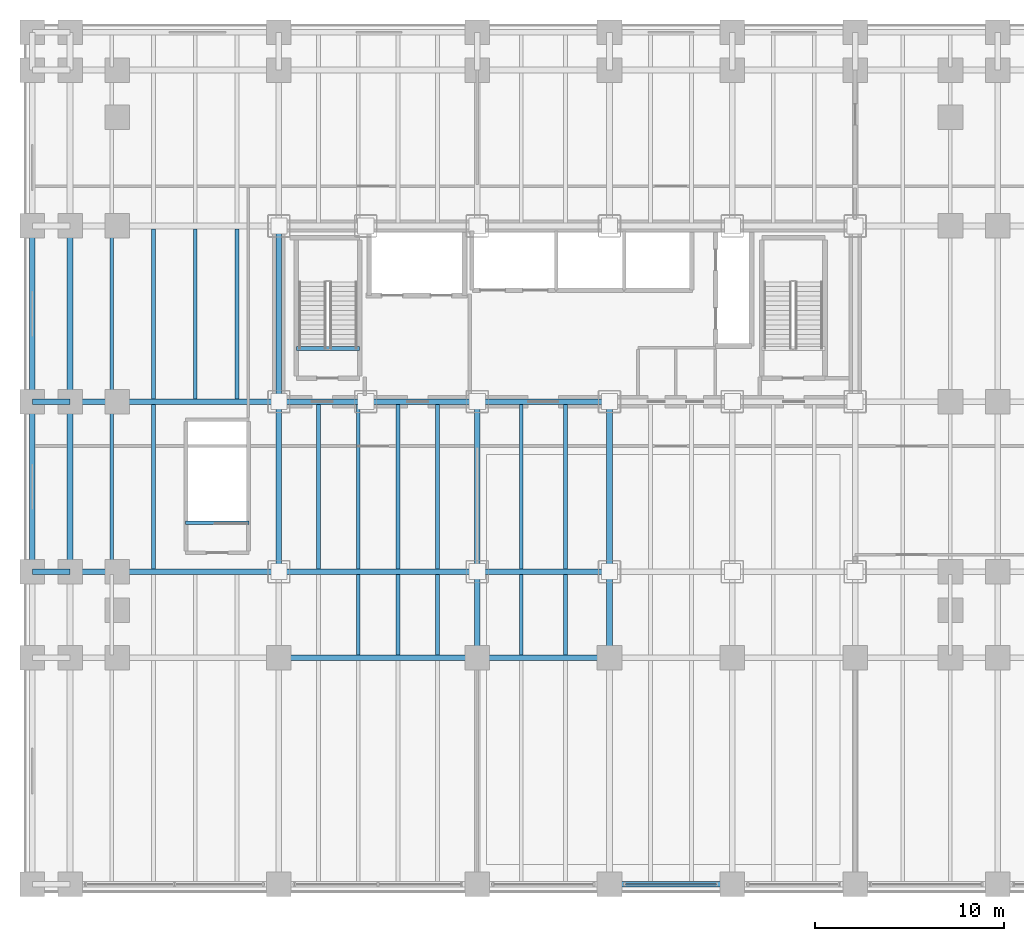
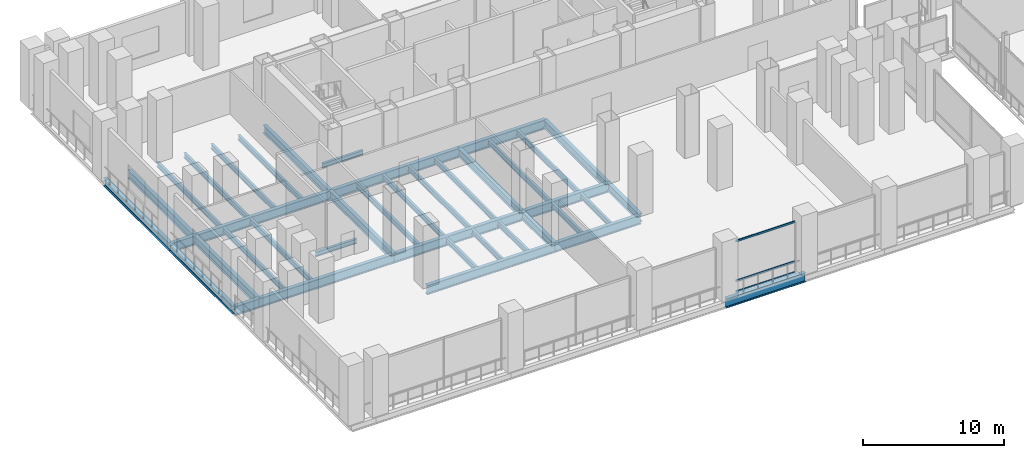
# One storey, part 8 of 30: 40 beams, 3 members, 1 element without a shape of its own.
"""IFC4 building model written with IfcOpenShell, lengths in metres."""

from ifc_helpers import new_model, si_unit, direction, frame, origin, origin_2d, place, context, subcontext, project, spatial, hollow_rectangle, i_section, extrude, material, material_profile, profile_set, type_object, element, aggregate, save


model = new_model("IFC4")

# Units and contexts
model_context = context("Model", 3, precision=1e-05, world=origin(), true_north=direction((0.0, 1.0)))
body_context = subcontext(model_context, "Body", "Model", "MODEL_VIEW")
ifc_project = project(units=[si_unit("LENGTHUNIT", "METRE"), si_unit("AREAUNIT", "SQUARE_METRE"), si_unit("VOLUMEUNIT", "CUBIC_METRE"), si_unit("PLANEANGLEUNIT", "RADIAN"), si_unit("MASSUNIT", "GRAM", prefix="KILO")], contexts=[model_context])

# Site, building, storey
site_placement = place(None, origin())
site = spatial("IfcSite", under=ifc_project, at=site_placement, CompositionType="ELEMENT")
building_placement = place(site_placement, origin())
building = spatial("IfcBuilding", under=site, at=building_placement, Name="Noeulbin Bourse Tower", CompositionType="ELEMENT")
storey_placement = place(building_placement, frame((0.0, 0.0, 16.60009765625)))
storey = spatial("IfcBuildingStorey", under=building, at=storey_placement, Name="L04", CompositionType="ELEMENT", Elevation=16.60009765625)

# Beams
ifc_material_1 = material(Name="Steel S355", Category="steel")
ifc_material_profile_1 = material_profile(ifc_material_1, i_section(OverallWidth=0.300048828125, OverallDepth=0.699951171875, WebThickness=0.012939453125, FlangeThickness=0.02392578125, FilletRadius=0.02392578125, at=origin_2d()), Name="H-700x300x13x24", Category="LoadBearing")
ifc_profile_set_1 = profile_set([ifc_material_profile_1], Name="Steel S355")
beam_type_1 = type_object("IfcBeamType", Name="BM-GRD-700", PredefinedType="USERDEFINED", material=ifc_profile_set_1)
beam_1_placement = place(storey_placement, frame((0.449951171875, 20.0, -0.60009765625), z_axis=(0.0, 1.0, 0.0), x_axis=(-1.0, 0.0, 0.0)))
element("IfcBeam", 1, at=beam_1_placement, inside=storey, type_object=beam_type_1, Name="Podium Primary Girder NS L04-059", ObjectType="GIRDER", PredefinedType="USERDEFINED", context=body_context, shape_type="SweptSolid", body=[
    extrude(i_section(OverallWidth=0.300048828125, OverallDepth=0.699951171875, WebThickness=0.012939453125, FlangeThickness=0.02392578125, FilletRadius=0.02392578125, at=origin_2d()), origin(), (0.0, 0.0, 1.0), 9.0),
])
beam_2_placement = place(storey_placement, frame((0.449951171875, 29.0, -0.60009765625), z_axis=(0.0, 1.0, 0.0), x_axis=(-1.0, 0.0, 0.0)))
element("IfcBeam", 2, at=beam_2_placement, inside=storey, type_object=beam_type_1, Name="Podium Primary Girder NS L04-060", ObjectType="GIRDER", PredefinedType="USERDEFINED", context=body_context, shape_type="SweptSolid", body=[
    extrude(i_section(OverallWidth=0.300048828125, OverallDepth=0.699951171875, WebThickness=0.012939453125, FlangeThickness=0.02392578125, FilletRadius=0.02392578125, at=origin_2d()), origin(), (0.0, 0.0, 1.0), 9.300048828125),
])
beam_3_placement = place(storey_placement, frame((2.449951171875, 20.0, -0.60009765625), z_axis=(0.0, 1.0, 0.0), x_axis=(-1.0, 0.0, 0.0)))
element("IfcBeam", 3, at=beam_3_placement, inside=storey, type_object=beam_type_1, Name="Podium Primary Girder NS L04-065", ObjectType="GIRDER", PredefinedType="USERDEFINED", context=body_context, shape_type="SweptSolid", body=[
    extrude(i_section(OverallWidth=0.300048828125, OverallDepth=0.699951171875, WebThickness=0.012939453125, FlangeThickness=0.02392578125, FilletRadius=0.02392578125, at=origin_2d()), origin(), (0.0, 0.0, 1.0), 9.0),
])
beam_4_placement = place(storey_placement, frame((2.449951171875, 29.0, -0.60009765625), z_axis=(0.0, 1.0, 0.0), x_axis=(-1.0, 0.0, 0.0)))
element("IfcBeam", 4, at=beam_4_placement, inside=storey, type_object=beam_type_1, Name="Podium Primary Girder NS L04-066", ObjectType="GIRDER", PredefinedType="USERDEFINED", context=body_context, shape_type="SweptSolid", body=[
    extrude(i_section(OverallWidth=0.300048828125, OverallDepth=0.699951171875, WebThickness=0.012939453125, FlangeThickness=0.02392578125, FilletRadius=0.02392578125, at=origin_2d()), origin(), (0.0, 0.0, 1.0), 9.300048828125),
])
beam_5_placement = place(storey_placement, frame((13.5, 20.0, -0.60009765625), z_axis=(0.0, 1.0, 0.0), x_axis=(-1.0, 0.0, 0.0)))
element("IfcBeam", 5, at=beam_5_placement, inside=storey, type_object=beam_type_1, Name="Podium Primary Girder NS L04-071", ObjectType="GIRDER", PredefinedType="USERDEFINED", context=body_context, shape_type="SweptSolid", body=[
    extrude(i_section(OverallWidth=0.300048828125, OverallDepth=0.699951171875, WebThickness=0.012939453125, FlangeThickness=0.02392578125, FilletRadius=0.02392578125, at=origin_2d()), origin(), (0.0, 0.0, 1.0), 9.0),
])
beam_6_placement = place(storey_placement, frame((13.5, 29.0, -0.60009765625), z_axis=(0.0, 1.0, 0.0), x_axis=(-1.0, 0.0, 0.0)))
element("IfcBeam", 6, at=beam_6_placement, inside=storey, type_object=beam_type_1, Name="Podium Primary Girder NS L04-072", ObjectType="GIRDER", PredefinedType="USERDEFINED", context=body_context, shape_type="SweptSolid", body=[
    extrude(i_section(OverallWidth=0.300048828125, OverallDepth=0.699951171875, WebThickness=0.012939453125, FlangeThickness=0.02392578125, FilletRadius=0.02392578125, at=origin_2d()), origin(), (0.0, 0.0, 1.0), 9.300048828125),
])
beam_7_placement = place(storey_placement, frame((24.0, 15.449951171875, -0.60009765625), z_axis=(0.0, 1.0, 0.0), x_axis=(-1.0, 0.0, 0.0)))
element("IfcBeam", 7, at=beam_7_placement, inside=storey, type_object=beam_type_1, Name="Podium Primary Girder NS L04-076", ObjectType="GIRDER", PredefinedType="USERDEFINED", context=body_context, shape_type="SweptSolid", body=[
    extrude(i_section(OverallWidth=0.300048828125, OverallDepth=0.699951171875, WebThickness=0.012939453125, FlangeThickness=0.02392578125, FilletRadius=0.02392578125, at=origin_2d()), origin(), (0.0, 0.0, 1.0), 4.550048828125),
])
beam_8_placement = place(storey_placement, frame((24.0, 20.0, -0.60009765625), z_axis=(0.0, 1.0, 0.0), x_axis=(-1.0, 0.0, 0.0)))
element("IfcBeam", 8, at=beam_8_placement, inside=storey, type_object=beam_type_1, Name="Podium Primary Girder NS L04-077", ObjectType="GIRDER", PredefinedType="USERDEFINED", context=body_context, shape_type="SweptSolid", body=[
    extrude(i_section(OverallWidth=0.300048828125, OverallDepth=0.699951171875, WebThickness=0.012939453125, FlangeThickness=0.02392578125, FilletRadius=0.02392578125, at=origin_2d()), origin(), (0.0, 0.0, 1.0), 9.0),
])
beam_9_placement = place(storey_placement, frame((31.0, 15.449951171875, -0.60009765625), z_axis=(0.0, 1.0, 0.0), x_axis=(-1.0, 0.0, 0.0)))
element("IfcBeam", 9, at=beam_9_placement, inside=storey, type_object=beam_type_1, Name="Podium Primary Girder NS L04-081", ObjectType="GIRDER", PredefinedType="USERDEFINED", context=body_context, shape_type="SweptSolid", body=[
    extrude(i_section(OverallWidth=0.300048828125, OverallDepth=0.699951171875, WebThickness=0.012939453125, FlangeThickness=0.02392578125, FilletRadius=0.02392578125, at=origin_2d()), origin(), (0.0, 0.0, 1.0), 4.550048828125),
])
beam_10_placement = place(storey_placement, frame((31.0, 20.0, -0.60009765625), z_axis=(0.0, 1.0, 0.0), x_axis=(-1.0, 0.0, 0.0)))
element("IfcBeam", 10, at=beam_10_placement, inside=storey, type_object=beam_type_1, Name="Podium Primary Girder NS L04-082", ObjectType="GIRDER", PredefinedType="USERDEFINED", context=body_context, shape_type="SweptSolid", body=[
    extrude(i_section(OverallWidth=0.300048828125, OverallDepth=0.699951171875, WebThickness=0.012939453125, FlangeThickness=0.02392578125, FilletRadius=0.02392578125, at=origin_2d()), origin(), (0.0, 0.0, 1.0), 9.0),
])
ifc_material_profile_2 = material_profile(ifc_material_1, i_section(OverallWidth=0.300048828125, OverallDepth=0.800048828125, WebThickness=0.013916015625, FlangeThickness=0.02587890625, FilletRadius=0.02587890625, at=origin_2d()), Name="H-800x300x14x26", Category="LoadBearing")
ifc_profile_set_2 = profile_set([ifc_material_profile_2], Name="Steel S355")
beam_type_2 = type_object("IfcBeamType", Name="BM-GRD-800", PredefinedType="USERDEFINED", material=ifc_profile_set_2)
beam_11_placement = place(storey_placement, frame((31.0, 3.449951171875, -0.650146484375), z_axis=(1.0, 0.0, 0.0), x_axis=(0.0, 1.0, 0.0)))
element("IfcBeam", 11, at=beam_11_placement, inside=storey, type_object=beam_type_2, Name="Podium Primary Girder EW L04-005", ObjectType="GIRDER", PredefinedType="USERDEFINED", context=body_context, shape_type="SweptSolid", body=[
    extrude(i_section(OverallWidth=0.300048828125, OverallDepth=0.800048828125, WebThickness=0.013916015625, FlangeThickness=0.02587890625, FilletRadius=0.02587890625, at=origin_2d()), origin(), (0.0, 0.0, 1.0), 6.5),
])
beam_12_placement = place(storey_placement, frame((13.5, 15.449951171875, -0.650146484375), z_axis=(1.0, 0.0, 0.0), x_axis=(0.0, 1.0, 0.0)))
element("IfcBeam", 12, at=beam_12_placement, inside=storey, type_object=beam_type_2, Name="Podium Primary Girder EW L04-011", ObjectType="GIRDER", PredefinedType="USERDEFINED", context=body_context, shape_type="SweptSolid", body=[
    extrude(i_section(OverallWidth=0.300048828125, OverallDepth=0.800048828125, WebThickness=0.013916015625, FlangeThickness=0.02587890625, FilletRadius=0.02587890625, at=origin_2d()), origin(), (0.0, 0.0, 1.0), 10.5),
])
beam_13_placement = place(storey_placement, frame((24.0, 15.449951171875, -0.650146484375), z_axis=(1.0, 0.0, 0.0), x_axis=(0.0, 1.0, 0.0)))
element("IfcBeam", 13, at=beam_13_placement, inside=storey, type_object=beam_type_2, Name="Podium Primary Girder EW L04-012", ObjectType="GIRDER", PredefinedType="USERDEFINED", context=body_context, shape_type="SweptSolid", body=[
    extrude(i_section(OverallWidth=0.300048828125, OverallDepth=0.800048828125, WebThickness=0.013916015625, FlangeThickness=0.02587890625, FilletRadius=0.02587890625, at=origin_2d()), origin(), (0.0, 0.0, 1.0), 7.0),
])
beam_14_placement = place(storey_placement, frame((0.449951171875, 20.0, -0.650146484375), z_axis=(1.0, 0.0, 0.0), x_axis=(0.0, 1.0, 0.0)))
element("IfcBeam", 14, at=beam_14_placement, inside=storey, type_object=beam_type_2, Name="Podium Primary Girder EW L04-017", ObjectType="GIRDER", PredefinedType="USERDEFINED", context=body_context, shape_type="SweptSolid", body=[
    extrude(i_section(OverallWidth=0.300048828125, OverallDepth=0.800048828125, WebThickness=0.013916015625, FlangeThickness=0.02587890625, FilletRadius=0.02587890625, at=origin_2d()), origin(), (0.0, 0.0, 1.0), 2.0),
])
beam_15_placement = place(storey_placement, frame((2.449951171875, 20.0, -0.650146484375), z_axis=(1.0, 0.0, 0.0), x_axis=(0.0, 1.0, 0.0)))
element("IfcBeam", 15, at=beam_15_placement, inside=storey, type_object=beam_type_2, Name="Podium Primary Girder EW L04-018", ObjectType="GIRDER", PredefinedType="USERDEFINED", context=body_context, shape_type="SweptSolid", body=[
    extrude(i_section(OverallWidth=0.300048828125, OverallDepth=0.800048828125, WebThickness=0.013916015625, FlangeThickness=0.02587890625, FilletRadius=0.02587890625, at=origin_2d()), origin(), (0.0, 0.0, 1.0), 11.050048828125),
])
beam_16_placement = place(storey_placement, frame((13.5, 20.0, -0.650146484375), z_axis=(1.0, 0.0, 0.0), x_axis=(0.0, 1.0, 0.0)))
element("IfcBeam", 16, at=beam_16_placement, inside=storey, type_object=beam_type_2, Name="Podium Primary Girder EW L04-019", ObjectType="GIRDER", PredefinedType="USERDEFINED", context=body_context, shape_type="SweptSolid", body=[
    extrude(i_section(OverallWidth=0.300048828125, OverallDepth=0.800048828125, WebThickness=0.013916015625, FlangeThickness=0.02587890625, FilletRadius=0.02587890625, at=origin_2d()), origin(), (0.0, 0.0, 1.0), 10.5),
])
beam_17_placement = place(storey_placement, frame((24.0, 20.0, -0.650146484375), z_axis=(1.0, 0.0, 0.0), x_axis=(0.0, 1.0, 0.0)))
element("IfcBeam", 17, at=beam_17_placement, inside=storey, type_object=beam_type_2, Name="Podium Primary Girder EW L04-020", ObjectType="GIRDER", PredefinedType="USERDEFINED", context=body_context, shape_type="SweptSolid", body=[
    extrude(i_section(OverallWidth=0.300048828125, OverallDepth=0.800048828125, WebThickness=0.013916015625, FlangeThickness=0.02587890625, FilletRadius=0.02587890625, at=origin_2d()), origin(), (0.0, 0.0, 1.0), 7.0),
])
beam_18_placement = place(storey_placement, frame((0.449951171875, 29.0, -0.650146484375), z_axis=(1.0, 0.0, 0.0), x_axis=(0.0, 1.0, 0.0)))
element("IfcBeam", 18, at=beam_18_placement, inside=storey, type_object=beam_type_2, Name="Podium Primary Girder EW L04-025", ObjectType="GIRDER", PredefinedType="USERDEFINED", context=body_context, shape_type="SweptSolid", body=[
    extrude(i_section(OverallWidth=0.300048828125, OverallDepth=0.800048828125, WebThickness=0.013916015625, FlangeThickness=0.02587890625, FilletRadius=0.02587890625, at=origin_2d()), origin(), (0.0, 0.0, 1.0), 2.0),
])
beam_19_placement = place(storey_placement, frame((2.449951171875, 29.0, -0.650146484375), z_axis=(1.0, 0.0, 0.0), x_axis=(0.0, 1.0, 0.0)))
element("IfcBeam", 19, at=beam_19_placement, inside=storey, type_object=beam_type_2, Name="Podium Primary Girder EW L04-026", ObjectType="GIRDER", PredefinedType="USERDEFINED", context=body_context, shape_type="SweptSolid", body=[
    extrude(i_section(OverallWidth=0.300048828125, OverallDepth=0.800048828125, WebThickness=0.013916015625, FlangeThickness=0.02587890625, FilletRadius=0.02587890625, at=origin_2d()), origin(), (0.0, 0.0, 1.0), 11.050048828125),
])
beam_20_placement = place(storey_placement, frame((13.5, 29.0, -0.650146484375), z_axis=(1.0, 0.0, 0.0), x_axis=(0.0, 1.0, 0.0)))
element("IfcBeam", 20, at=beam_20_placement, inside=storey, type_object=beam_type_2, Name="Podium Primary Girder EW L04-027", ObjectType="GIRDER", PredefinedType="USERDEFINED", context=body_context, shape_type="SweptSolid", body=[
    extrude(i_section(OverallWidth=0.300048828125, OverallDepth=0.800048828125, WebThickness=0.013916015625, FlangeThickness=0.02587890625, FilletRadius=0.02587890625, at=origin_2d()), origin(), (0.0, 0.0, 1.0), 10.5),
])
beam_21_placement = place(storey_placement, frame((24.0, 29.0, -0.650146484375), z_axis=(1.0, 0.0, 0.0), x_axis=(0.0, 1.0, 0.0)))
element("IfcBeam", 21, at=beam_21_placement, inside=storey, type_object=beam_type_2, Name="Podium Primary Girder EW L04-028", ObjectType="GIRDER", PredefinedType="USERDEFINED", context=body_context, shape_type="SweptSolid", body=[
    extrude(i_section(OverallWidth=0.300048828125, OverallDepth=0.800048828125, WebThickness=0.013916015625, FlangeThickness=0.02587890625, FilletRadius=0.02587890625, at=origin_2d()), origin(), (0.0, 0.0, 1.0), 7.0),
])
ifc_material_profile_3 = material_profile(ifc_material_1, i_section(OverallWidth=0.199951171875, OverallDepth=0.39990234375, WebThickness=0.008056640625, FlangeThickness=0.012939453125, FilletRadius=0.01611328125, at=origin_2d()), Name="H-400x200x8x13", Category="LoadBearing")
ifc_profile_set_3 = profile_set([ifc_material_profile_3], Name="Steel S355")
beam_type_3 = type_object("IfcBeamType", Name="BM-SEC-400", PredefinedType="BEAM", material=ifc_profile_set_3)
beam_22_placement = place(storey_placement, frame((14.429931640625, 31.820068359375, -0.2001953125), z_axis=(1.0, 0.0, 0.0), x_axis=(0.0, 1.0, 0.0)))
element("IfcBeam", 22, at=beam_22_placement, inside=storey, type_object=beam_type_3, Name="Stair Threshold Trimmer Beam ST1-L04", PredefinedType="BEAM", context=body_context, shape_type="SweptSolid", body=[
    extrude(i_section(OverallWidth=0.199951171875, OverallDepth=0.39990234375, WebThickness=0.008056640625, FlangeThickness=0.012939453125, FilletRadius=0.01611328125, at=origin_2d()), origin(), (0.0, 0.0, 1.0), 3.340087890625),
])
beam_23_placement = place(storey_placement, frame((8.56005859375, 22.590087890625, -0.2001953125), z_axis=(1.0, 0.0, 0.0), x_axis=(0.0, 1.0, 0.0)))
element("IfcBeam", 23, at=beam_23_placement, inside=storey, type_object=beam_type_3, Name="Stair Threshold Trimmer Beam STP1-L04", PredefinedType="BEAM", context=body_context, shape_type="SweptSolid", body=[
    extrude(i_section(OverallWidth=0.199951171875, OverallDepth=0.39990234375, WebThickness=0.008056640625, FlangeThickness=0.012939453125, FilletRadius=0.01611328125, at=origin_2d()), origin(), (0.0, 0.0, 1.0), 3.35986328125),
])
ifc_material_profile_4 = material_profile(ifc_material_1, i_section(OverallWidth=0.199951171875, OverallDepth=0.449951171875, WebThickness=0.009033203125, FlangeThickness=0.013916015625, FilletRadius=0.01806640625, at=origin_2d()), Name="H-450x200x9x14", Category="LoadBearing")
ifc_profile_set_4 = profile_set([ifc_material_profile_4], Name="Steel S355")
beam_type_4 = type_object("IfcBeamType", Name="BM-SEC-450", PredefinedType="BEAM", material=ifc_profile_set_4)
beam_24_placement = place(storey_placement, frame((4.659912109375, 20.14990234375, -0.47509765625), z_axis=(0.0, 1.0, 0.0), x_axis=(-1.0, 0.0, 0.0)))
element("IfcBeam", 24, at=beam_24_placement, inside=storey, type_object=beam_type_4, Name="Podium Secondary Beam L04-003", PredefinedType="BEAM", context=body_context, shape_type="SweptSolid", body=[
    extrude(i_section(OverallWidth=0.199951171875, OverallDepth=0.449951171875, WebThickness=0.009033203125, FlangeThickness=0.013916015625, FilletRadius=0.01806640625, at=origin_2d()), origin(), (0.0, 0.0, 1.0), 8.7001953125),
])
beam_25_placement = place(storey_placement, frame((4.659912109375, 29.14990234375, -0.47509765625), z_axis=(0.0, 1.0, 0.0), x_axis=(-1.0, 0.0, 0.0)))
element("IfcBeam", 25, at=beam_25_placement, inside=storey, type_object=beam_type_4, Name="Podium Secondary Beam L04-004", PredefinedType="BEAM", context=body_context, shape_type="SweptSolid", body=[
    extrude(i_section(OverallWidth=0.199951171875, OverallDepth=0.449951171875, WebThickness=0.009033203125, FlangeThickness=0.013916015625, FilletRadius=0.01806640625, at=origin_2d()), origin(), (0.0, 0.0, 1.0), 9.0),
])
beam_26_placement = place(storey_placement, frame((6.8701171875, 20.14990234375, -0.47509765625), z_axis=(0.0, 1.0, 0.0), x_axis=(-1.0, 0.0, 0.0)))
element("IfcBeam", 26, at=beam_26_placement, inside=storey, type_object=beam_type_4, Name="Podium Secondary Beam L04-009", PredefinedType="BEAM", context=body_context, shape_type="SweptSolid", body=[
    extrude(i_section(OverallWidth=0.199951171875, OverallDepth=0.449951171875, WebThickness=0.009033203125, FlangeThickness=0.013916015625, FilletRadius=0.01806640625, at=origin_2d()), origin(), (0.0, 0.0, 1.0), 8.7001953125),
])
for number, where, z_axis, x_axis, name in (
    (27, (6.8701171875, 29.14990234375, -0.47509765625), (0.0, 1.0, 0.0), (-1.0, 0.0, 0.0), "Podium Secondary Beam L04-010"),
    (28, (9.080078125, 29.14990234375, -0.47509765625), (0.0, 1.0, 0.0), (-1.0, 0.0, 0.0), "Podium Secondary Beam L04-015"),
    (29, (11.2900390625, 29.14990234375, -0.47509765625), (0.0, 1.0, 0.0), (-1.0, 0.0, 0.0), "Podium Secondary Beam L04-020"),
):
    element("IfcBeam", number, at=place(storey_placement, frame(where, z_axis=z_axis, x_axis=x_axis)), inside=storey, type_object=beam_type_4, Name=name, PredefinedType="BEAM", context=body_context, shape_type="SweptSolid", body=[
        extrude(i_section(OverallWidth=0.199951171875, OverallDepth=0.449951171875, WebThickness=0.009033203125, FlangeThickness=0.013916015625, FilletRadius=0.01806640625, at=origin_2d()), origin(), (0.0, 0.0, 1.0), 9.0),
    ])
beam_27_placement = place(storey_placement, frame((15.60009765625, 20.14990234375, -0.47509765625), z_axis=(0.0, 1.0, 0.0), x_axis=(-1.0, 0.0, 0.0)))
element("IfcBeam", 30, at=beam_27_placement, inside=storey, type_object=beam_type_4, Name="Podium Secondary Beam L04-025", PredefinedType="BEAM", context=body_context, shape_type="SweptSolid", body=[
    extrude(i_section(OverallWidth=0.199951171875, OverallDepth=0.449951171875, WebThickness=0.009033203125, FlangeThickness=0.013916015625, FilletRadius=0.01806640625, at=origin_2d()), origin(), (0.0, 0.0, 1.0), 8.7001953125),
])
beam_28_placement = place(storey_placement, frame((17.699951171875, 15.60009765625, -0.47509765625), z_axis=(0.0, 1.0, 0.0), x_axis=(-1.0, 0.0, 0.0)))
element("IfcBeam", 31, at=beam_28_placement, inside=storey, type_object=beam_type_4, Name="Podium Secondary Beam L04-029", PredefinedType="BEAM", context=body_context, shape_type="SweptSolid", body=[
    extrude(i_section(OverallWidth=0.199951171875, OverallDepth=0.449951171875, WebThickness=0.009033203125, FlangeThickness=0.013916015625, FilletRadius=0.01806640625, at=origin_2d()), origin(), (0.0, 0.0, 1.0), 4.25),
])
beam_29_placement = place(storey_placement, frame((17.699951171875, 20.14990234375, -0.47509765625), z_axis=(0.0, 1.0, 0.0), x_axis=(-1.0, 0.0, 0.0)))
element("IfcBeam", 32, at=beam_29_placement, inside=storey, type_object=beam_type_4, Name="Podium Secondary Beam L04-030", PredefinedType="BEAM", context=body_context, shape_type="SweptSolid", body=[
    extrude(i_section(OverallWidth=0.199951171875, OverallDepth=0.449951171875, WebThickness=0.009033203125, FlangeThickness=0.013916015625, FilletRadius=0.01806640625, at=origin_2d()), origin(), (0.0, 0.0, 1.0), 8.7001953125),
])
beam_30_placement = place(storey_placement, frame((19.800048828125, 15.60009765625, -0.47509765625), z_axis=(0.0, 1.0, 0.0), x_axis=(-1.0, 0.0, 0.0)))
element("IfcBeam", 33, at=beam_30_placement, inside=storey, type_object=beam_type_4, Name="Podium Secondary Beam L04-034", PredefinedType="BEAM", context=body_context, shape_type="SweptSolid", body=[
    extrude(i_section(OverallWidth=0.199951171875, OverallDepth=0.449951171875, WebThickness=0.009033203125, FlangeThickness=0.013916015625, FilletRadius=0.01806640625, at=origin_2d()), origin(), (0.0, 0.0, 1.0), 4.25),
])
beam_31_placement = place(storey_placement, frame((19.800048828125, 20.14990234375, -0.47509765625), z_axis=(0.0, 1.0, 0.0), x_axis=(-1.0, 0.0, 0.0)))
element("IfcBeam", 34, at=beam_31_placement, inside=storey, type_object=beam_type_4, Name="Podium Secondary Beam L04-035", PredefinedType="BEAM", context=body_context, shape_type="SweptSolid", body=[
    extrude(i_section(OverallWidth=0.199951171875, OverallDepth=0.449951171875, WebThickness=0.009033203125, FlangeThickness=0.013916015625, FilletRadius=0.01806640625, at=origin_2d()), origin(), (0.0, 0.0, 1.0), 8.7001953125),
])
beam_32_placement = place(storey_placement, frame((21.89990234375, 15.60009765625, -0.47509765625), z_axis=(0.0, 1.0, 0.0), x_axis=(-1.0, 0.0, 0.0)))
element("IfcBeam", 35, at=beam_32_placement, inside=storey, type_object=beam_type_4, Name="Podium Secondary Beam L04-039", PredefinedType="BEAM", context=body_context, shape_type="SweptSolid", body=[
    extrude(i_section(OverallWidth=0.199951171875, OverallDepth=0.449951171875, WebThickness=0.009033203125, FlangeThickness=0.013916015625, FilletRadius=0.01806640625, at=origin_2d()), origin(), (0.0, 0.0, 1.0), 4.25),
])
beam_33_placement = place(storey_placement, frame((21.89990234375, 20.14990234375, -0.47509765625), z_axis=(0.0, 1.0, 0.0), x_axis=(-1.0, 0.0, 0.0)))
element("IfcBeam", 36, at=beam_33_placement, inside=storey, type_object=beam_type_4, Name="Podium Secondary Beam L04-040", PredefinedType="BEAM", context=body_context, shape_type="SweptSolid", body=[
    extrude(i_section(OverallWidth=0.199951171875, OverallDepth=0.449951171875, WebThickness=0.009033203125, FlangeThickness=0.013916015625, FilletRadius=0.01806640625, at=origin_2d()), origin(), (0.0, 0.0, 1.0), 8.7001953125),
])
beam_34_placement = place(storey_placement, frame((26.333251953125, 15.60009765625, -0.47509765625), z_axis=(0.0, 1.0, 0.0), x_axis=(-1.0, 0.0, 0.0)))
element("IfcBeam", 37, at=beam_34_placement, inside=storey, type_object=beam_type_4, Name="Podium Secondary Beam L04-044", PredefinedType="BEAM", context=body_context, shape_type="SweptSolid", body=[
    extrude(i_section(OverallWidth=0.199951171875, OverallDepth=0.449951171875, WebThickness=0.009033203125, FlangeThickness=0.013916015625, FilletRadius=0.01806640625, at=origin_2d()), origin(), (0.0, 0.0, 1.0), 4.25),
])
beam_35_placement = place(storey_placement, frame((26.333251953125, 20.14990234375, -0.47509765625), z_axis=(0.0, 1.0, 0.0), x_axis=(-1.0, 0.0, 0.0)))
element("IfcBeam", 38, at=beam_35_placement, inside=storey, type_object=beam_type_4, Name="Podium Secondary Beam L04-045", PredefinedType="BEAM", context=body_context, shape_type="SweptSolid", body=[
    extrude(i_section(OverallWidth=0.199951171875, OverallDepth=0.449951171875, WebThickness=0.009033203125, FlangeThickness=0.013916015625, FilletRadius=0.01806640625, at=origin_2d()), origin(), (0.0, 0.0, 1.0), 8.7001953125),
])
beam_36_placement = place(storey_placement, frame((28.666748046875, 15.60009765625, -0.47509765625), z_axis=(0.0, 1.0, 0.0), x_axis=(-1.0, 0.0, 0.0)))
element("IfcBeam", 39, at=beam_36_placement, inside=storey, type_object=beam_type_4, Name="Podium Secondary Beam L04-049", PredefinedType="BEAM", context=body_context, shape_type="SweptSolid", body=[
    extrude(i_section(OverallWidth=0.199951171875, OverallDepth=0.449951171875, WebThickness=0.009033203125, FlangeThickness=0.013916015625, FilletRadius=0.01806640625, at=origin_2d()), origin(), (0.0, 0.0, 1.0), 4.25),
])
beam_37_placement = place(storey_placement, frame((28.666748046875, 20.14990234375, -0.47509765625), z_axis=(0.0, 1.0, 0.0), x_axis=(-1.0, 0.0, 0.0)))
element("IfcBeam", 40, at=beam_37_placement, inside=storey, type_object=beam_type_4, Name="Podium Secondary Beam L04-050", PredefinedType="BEAM", context=body_context, shape_type="SweptSolid", body=[
    extrude(i_section(OverallWidth=0.199951171875, OverallDepth=0.449951171875, WebThickness=0.009033203125, FlangeThickness=0.013916015625, FilletRadius=0.01806640625, at=origin_2d()), origin(), (0.0, 0.0, 1.0), 8.7001953125),
])

# Curtain wall, members
ifc_material_2 = material(Name="Laminated Clear Low-E Glass", Category="glass")
curtain_wall_type = type_object("IfcCurtainWallType", Name="CW-SYS-1", PredefinedType="NOTDEFINED", material=ifc_material_2)
curtain_wall_placement = place(storey_placement, origin())
curtain_wall = element("IfcCurtainWall", 41, at=curtain_wall_placement, inside=storey, type_object=curtain_wall_type, Name="Unitised Curtain Wall CW-L04-POD-S-S4", PredefinedType="NOTDEFINED")
ifc_material_3 = material(Name="Anodised Aluminium 6063-T6", Category="aluminium")
ifc_material_profile_5 = material_profile(ifc_material_3, hollow_rectangle(XDim=0.074951171875, YDim=0.159912109375, WallThickness=0.0048828125, InnerFilletRadius=0.00244140625, OuterFilletRadius=0.0048828125, at=origin_2d()), Name="ALU-TRAN-75x160x5", Category="LoadBearing")
ifc_profile_set_5 = profile_set([ifc_material_profile_5], Name="Anodised Aluminium 6063-T6")
member_type = type_object("IfcMemberType", Name="CW-SYS-1-TRN", PredefinedType="USERDEFINED", material=ifc_profile_set_5)
member_1_placement = place(storey_placement, frame((31.8349609375, 3.449951171875, 0.010009765625), z_axis=(1.0, 0.0, 0.0), x_axis=(0.0, 1.0, 0.0)))
member_1 = element("IfcMember", 42, at=member_1_placement, type_object=member_type, Name="Curtain Wall Transom CW-L04-POD-S-S4-T00", ObjectType="TRANSOM", PredefinedType="USERDEFINED", context=body_context, shape_type="SweptSolid", body=[
    extrude(hollow_rectangle(XDim=0.074951171875, YDim=0.159912109375, WallThickness=0.0048828125, InnerFilletRadius=0.00244140625, OuterFilletRadius=0.0048828125, at=origin_2d()), origin(), (0.0, 0.0, 1.0), 4.830078125),
])
member_2_placement = place(storey_placement, frame((31.8349609375, 3.449951171875, 0.949951171875), z_axis=(1.0, 0.0, 0.0), x_axis=(0.0, 1.0, 0.0)))
member_2 = element("IfcMember", 43, at=member_2_placement, type_object=member_type, Name="Curtain Wall Transom CW-L04-POD-S-S4-T01", ObjectType="TRANSOM", PredefinedType="USERDEFINED", context=body_context, shape_type="SweptSolid", body=[
    extrude(hollow_rectangle(XDim=0.074951171875, YDim=0.159912109375, WallThickness=0.0048828125, InnerFilletRadius=0.00244140625, OuterFilletRadius=0.0048828125, at=origin_2d()), origin(), (0.0, 0.0, 1.0), 4.830078125),
])
member_3_placement = place(storey_placement, frame((31.8349609375, 3.449951171875, 4.369873046875), z_axis=(1.0, 0.0, 0.0), x_axis=(0.0, 1.0, 0.0)))
member_3 = element("IfcMember", 44, at=member_3_placement, type_object=member_type, Name="Curtain Wall Transom CW-L04-POD-S-S4-T02", ObjectType="TRANSOM", PredefinedType="USERDEFINED", context=body_context, shape_type="SweptSolid", body=[
    extrude(hollow_rectangle(XDim=0.074951171875, YDim=0.159912109375, WallThickness=0.0048828125, InnerFilletRadius=0.00244140625, OuterFilletRadius=0.0048828125, at=origin_2d()), origin(), (0.0, 0.0, 1.0), 4.830078125),
])
aggregate(curtain_wall, [member_1, member_2, member_3])

save(model, "model.ifc")
